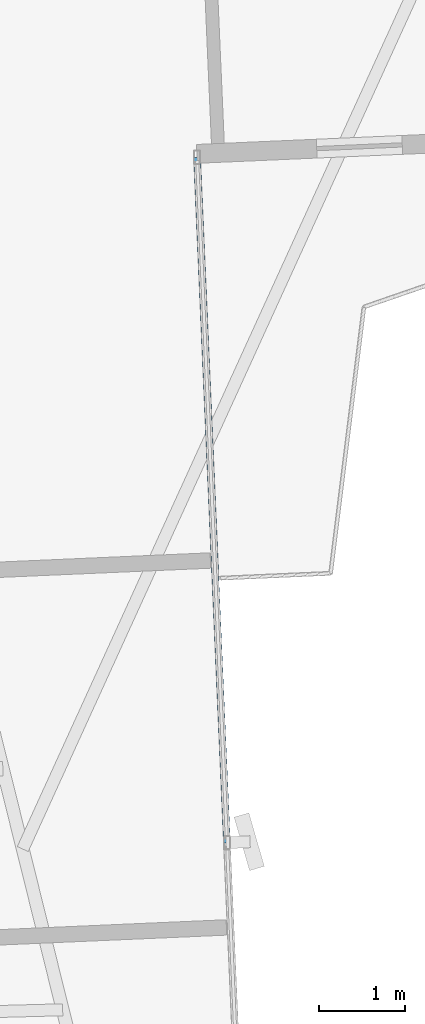
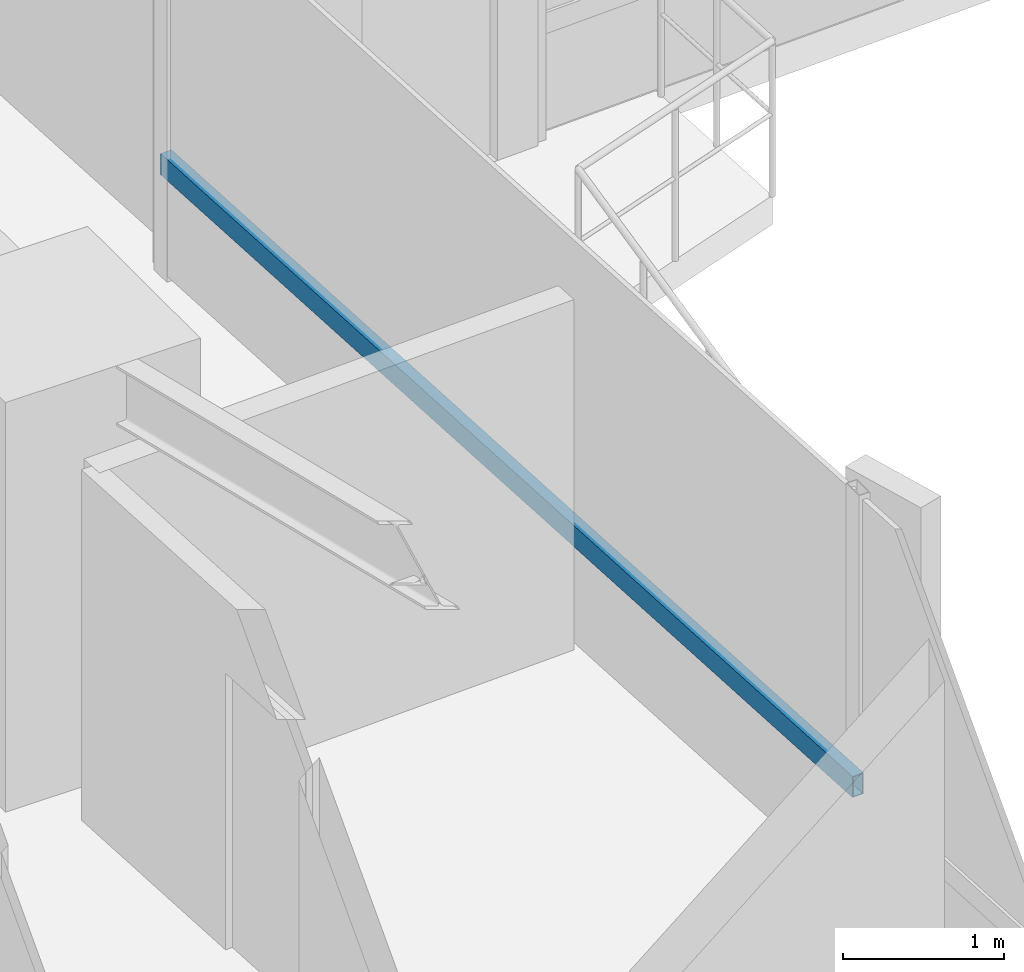
# One storey, part 7 of 26: 1 member, 1 element without a shape of its own.
"""IFC4 building model written with IfcOpenShell, lengths in metres."""

from ifc_helpers import new_model, si_unit, direction, frame, origin, origin_2d, place, context, subcontext, project, spatial, hollow_rectangle, extrude, source, transform, mapped, material, material_profile, profile_set, type_object, element, aggregate, save


model = new_model("IFC4")

# Units and contexts
model_context = context("Model", 3, precision=1e-05, world=origin(), true_north=direction((0.0, 1.0)))
body_context = subcontext(model_context, "Body", "Model", "MODEL_VIEW")
ifc_project = project(units=[si_unit("LENGTHUNIT", "METRE"), si_unit("AREAUNIT", "SQUARE_METRE"), si_unit("VOLUMEUNIT", "CUBIC_METRE"), si_unit("PLANEANGLEUNIT", "RADIAN"), si_unit("MASSUNIT", "GRAM", prefix="KILO")], contexts=[model_context])

# Site, building, storey
site_placement = place(None, origin())
site = spatial("IfcSite", under=ifc_project, at=site_placement, CompositionType="ELEMENT")
building_placement = place(site_placement, origin())
building = spatial("IfcBuilding", under=site, at=building_placement, Name="Sahyath Konkavel Grand Hotel", CompositionType="ELEMENT")
storey_placement = place(building_placement, frame((0.0, 0.0, 96.89990234375)))
storey = spatial("IfcBuildingStorey", under=building, at=storey_placement, Name="L26", CompositionType="ELEMENT", Elevation=96.89990234375)

# Curtain wall, member
ifc_material_1 = material(Name="Anodised Bronze Aluminium & Low-E Glazing", Category="aluminium")
curtain_wall_type = type_object("IfcCurtainWallType", Name="CW-ZONE2", PredefinedType="NOTDEFINED", material=ifc_material_1)
curtain_wall_placement = place(storey_placement, origin())
curtain_wall = element("IfcCurtainWall", 1, at=curtain_wall_placement, inside=storey, type_object=curtain_wall_type, Name="L26 Unitised Curtain Wall F31", PredefinedType="NOTDEFINED")
ifc_material_2 = material(Name="Anodised Bronze Aluminium", Category="aluminium")
ifc_material_profile = material_profile(ifc_material_2, hollow_rectangle(XDim=0.080078125, YDim=0.159912109375, WallThickness=0.006103515625, at=origin_2d()), Name="RHS 160x80x6")
ifc_profile_set = profile_set([ifc_material_profile], Name="Anodised Bronze Aluminium")
member_type = type_object("IfcMemberType", Name="CW-TRN-160", PredefinedType="USERDEFINED", material=ifc_profile_set)
shared_shape = source(origin(), body_context, "Body", "SweptSolid", [
    extrude(hollow_rectangle(XDim=0.080078125, YDim=0.159912109375, WallThickness=0.006103515625, at=origin_2d()), origin(), (0.0, 0.0, 1.0), 8.010009765625),
])
member_placement = place(storey_placement, frame((7.232666015625, -14.34814453125, 0.85009765625), z_axis=(-0.043615785896, 0.999048378819, 0.0), x_axis=(-0.999048378819, -0.043615785896, 0.0)))
member = element("IfcMember", 2, at=member_placement, type_object=member_type, Name="L26 Curtain Wall Transom F31-1-spandrel", ObjectType="TRANSOM", PredefinedType="USERDEFINED", context=body_context, shape_type="MappedRepresentation", body=[
    mapped(shared_shape, transform((0.0, 0.0, 0.0), scale=1.0)),
])
aggregate(curtain_wall, [member])

save(model, "model.ifc")
